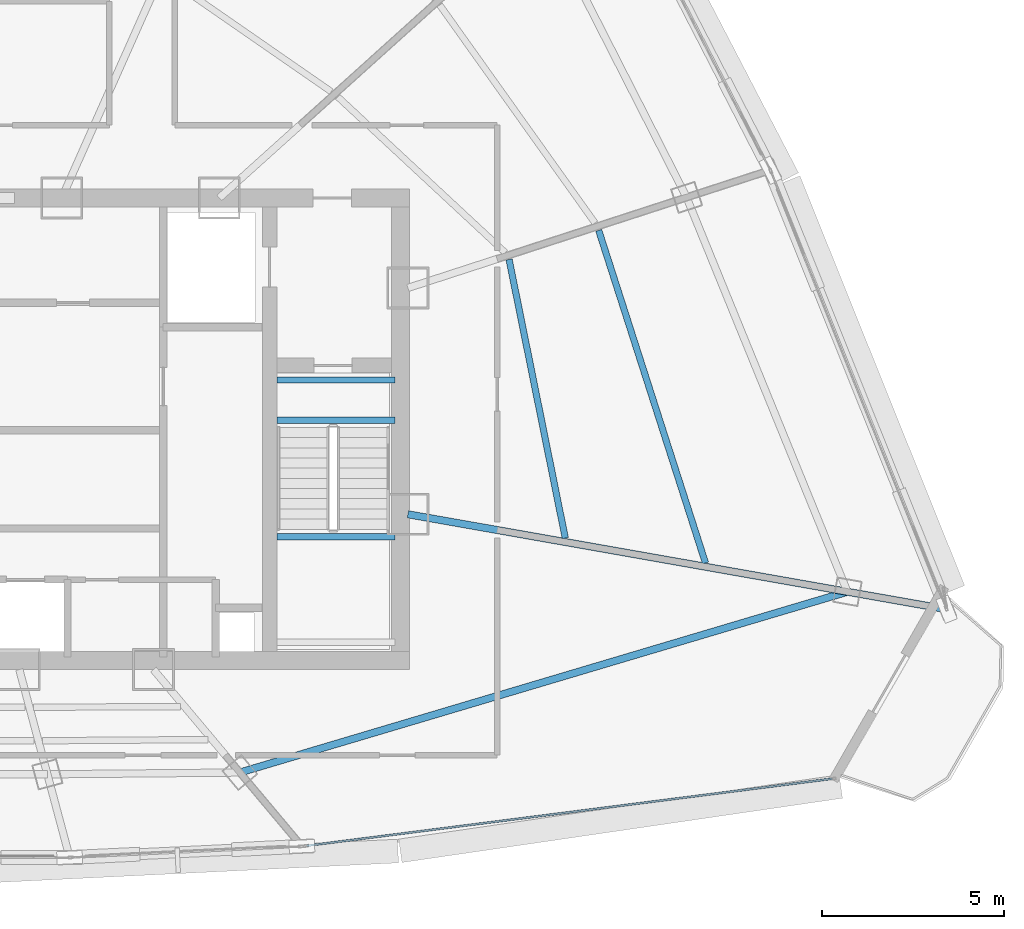
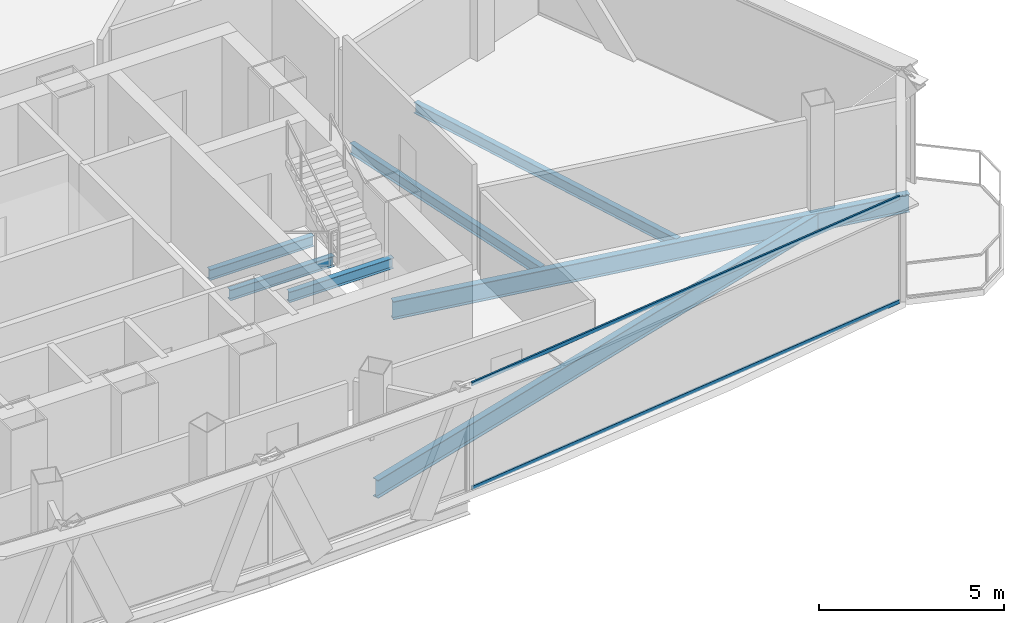
# One storey, part 12 of 30: 7 beams, 2 members, 1 element without a shape of its own.
"""IFC4 building model written with IfcOpenShell, lengths in metres."""

from ifc_helpers import new_model, si_unit, direction, frame, origin, origin_2d, place, context, subcontext, project, spatial, hollow_rectangle, i_section, extrude, source, transform, mapped, material, layer, layer_set, material_profile, profile_set, type_object, element, aggregate, save


model = new_model("IFC4")

# Units and contexts
model_context = context("Model", 3, precision=1e-05, world=origin(), true_north=direction((0.0, 1.0)))
body_context = subcontext(model_context, "Body", "Model", "MODEL_VIEW")
ifc_project = project(units=[si_unit("LENGTHUNIT", "METRE"), si_unit("AREAUNIT", "SQUARE_METRE"), si_unit("VOLUMEUNIT", "CUBIC_METRE"), si_unit("PLANEANGLEUNIT", "RADIAN"), si_unit("MASSUNIT", "GRAM", prefix="KILO"), si_unit("THERMODYNAMICTEMPERATUREUNIT", "KELVIN"), si_unit("POWERUNIT", "WATT")], contexts=[model_context])

# Site, building, storey
site_placement = place(None, origin())
site = spatial("IfcSite", under=ifc_project, at=site_placement, CompositionType="ELEMENT")
building_placement = place(site_placement, origin())
building = spatial("IfcBuilding", under=site, at=building_placement, Name="Yunzhuo Pagoda Commons", CompositionType="ELEMENT")
storey_placement = place(building_placement, frame((0.0, 0.0, 348.010009765625)))
storey = spatial("IfcBuildingStorey", under=building, at=storey_placement, Name="L87", CompositionType="ELEMENT", Elevation=348.010009765625)

# Beams
ifc_material_1 = material(Name="Structural steel Q355B", Category="steel")
ifc_material_profile_1 = material_profile(ifc_material_1, i_section(OverallWidth=0.175048828125, OverallDepth=0.35009765625, WebThickness=0.007080078125, FlangeThickness=0.010986328125, at=origin_2d()), Name="Structural steel Q355B")
ifc_profile_set_1 = profile_set([ifc_material_profile_1], Name="Structural steel Q355B")
beam_type_1 = type_object("IfcBeamType", Name="B-JS2 Joist HN 350x175x7x11", PredefinedType="JOIST", material=ifc_profile_set_1)
shared_shape_1 = source(origin(), body_context, "Body", "SweptSolid", [
    extrude(i_section(OverallWidth=0.175048828125, OverallDepth=0.35009765625, WebThickness=0.007080078125, FlangeThickness=0.010986328125, at=origin_2d()), origin(), (0.0, 0.0, 1.0), 3.25),
])
for number, where, z_axis, x_axis, name in (
    (1, (56.800048828125, 30.89990234375, 1.5), (1.0, 0.0, 0.0), (0.0, 1.0, 0.0), "L87 ST2 landing support beam 93B"),
    (2, (56.800048828125, 34.10009765625, -0.375), (1.0, 0.0, 0.0), (0.0, 1.0, 0.0), "L87 ST2 landing support beam 191A"),
    (3, (56.800048828125, 35.199951171875, -0.375), (1.0, 0.0, 0.0), (0.0, 1.0, 0.0), "L87 ST2 landing support beam 191B"),
):
    element("IfcBeam", number, at=place(storey_placement, frame(where, z_axis=z_axis, x_axis=x_axis)), inside=storey, type_object=beam_type_1, Name=name, PredefinedType="JOIST", context=body_context, shape_type="MappedRepresentation", body=[
        mapped(shared_shape_1, transform((0.0, 0.0, 0.0), scale=1.0)),
    ])
ifc_material_profile_2 = material_profile(ifc_material_1, i_section(OverallWidth=0.199951171875, OverallDepth=0.60009765625, WebThickness=0.010986328125, FlangeThickness=0.01708984375, at=origin_2d()), Name="Structural steel Q355B")
ifc_profile_set_2 = profile_set([ifc_material_profile_2], Name="Structural steel Q355B")
beam_type_2 = type_object("IfcBeamType", Name="B-RG3 Beam HN 600x200x11x17", PredefinedType="BEAM", material=ifc_profile_set_2)
shared_shape_2 = source(origin(), body_context, "Body", "SweptSolid", [
    extrude(i_section(OverallWidth=0.199951171875, OverallDepth=0.60009765625, WebThickness=0.010986328125, FlangeThickness=0.01708984375, at=origin_2d()), origin(), (0.0, 0.0, 1.0), 17.407470703125),
])
beam_1_placement = place(storey_placement, frame((55.785400390625, 24.421630859375, -0.56005859375), z_axis=(0.958484984609, 0.285143006717, 0.0), x_axis=(-0.285143006717, 0.958484984609, 0.0)))
element("IfcBeam", 4, at=beam_1_placement, inside=storey, type_object=beam_type_2, Name="L87 column-ring beam 4", PredefinedType="BEAM", context=body_context, shape_type="MappedRepresentation", body=[
    mapped(shared_shape_2, transform((0.0, 0.0, 0.0), scale=1.0)),
])
shared_shape_3 = source(origin(), body_context, "Body", "SweptSolid", [
    extrude(i_section(OverallWidth=0.175048828125, OverallDepth=0.35009765625, WebThickness=0.007080078125, FlangeThickness=0.010986328125, at=origin_2d()), origin(), (0.0, 0.0, 1.0), 7.8056640625),
])
beam_2_placement = place(storey_placement, frame((64.722412109375, 30.860107421875, -0.43505859375), z_axis=(-0.197830082137, 0.980236327934, 0.0), x_axis=(-0.980236327934, -0.197830082137, 0.0)))
element("IfcBeam", 5, at=beam_2_placement, inside=storey, type_object=beam_type_1, Name="L87 composite ring joist 1.5", PredefinedType="JOIST", context=body_context, shape_type="MappedRepresentation", body=[
    mapped(shared_shape_3, transform((0.0, 0.0, 0.0), scale=1.0)),
])
shared_shape_4 = source(origin(), body_context, "Body", "SweptSolid", [
    extrude(i_section(OverallWidth=0.175048828125, OverallDepth=0.35009765625, WebThickness=0.007080078125, FlangeThickness=0.010986328125, at=origin_2d()), origin(), (0.0, 0.0, 1.0), 9.593994140625),
])
beam_3_placement = place(storey_placement, frame((68.572509765625, 30.17578125, -0.43505859375), z_axis=(-0.305719218499, 0.952121714614, 0.0), x_axis=(-0.952121714614, -0.305719218499, 0.0)))
element("IfcBeam", 6, at=beam_3_placement, inside=storey, type_object=beam_type_1, Name="L87 composite ring joist 2.5", PredefinedType="JOIST", context=body_context, shape_type="MappedRepresentation", body=[
    mapped(shared_shape_4, transform((0.0, 0.0, 0.0), scale=1.0)),
])
shared_shape_5 = source(origin(), body_context, "Body", "SweptSolid", [
    extrude(i_section(OverallWidth=0.199951171875, OverallDepth=0.60009765625, WebThickness=0.010986328125, FlangeThickness=0.01708984375, at=origin_2d()), origin(), (0.0, 0.0, 1.0), 14.866943359375),
])
beam_4_placement = place(storey_placement, frame((75.041015625, 28.931884765625, -0.56005859375), z_axis=(-0.984808677013, 0.173642937314, 0.0), x_axis=(-0.173642937314, -0.984808677013, 0.0)))
element("IfcBeam", 7, at=beam_4_placement, inside=storey, type_object=beam_type_2, Name="L87 radial floor girder F2C1", PredefinedType="BEAM", context=body_context, shape_type="MappedRepresentation", body=[
    mapped(shared_shape_5, transform((0.0, 0.0, 0.0), scale=1.0)),
])

# Curtain wall, members
ifc_material_2 = material(Name="Anodized aluminium 6063-T6", Category="aluminium")
ifc_layer = layer(ifc_material_2, 0.139892578125)
ifc_layer_set = layer_set([ifc_layer], Name="Anodized aluminium 6063-T6")
curtain_wall_type = type_object("IfcCurtainWallType", Name="CW-HI High-Zone Ribbon Curtain Wall", PredefinedType="NOTDEFINED", material=ifc_layer_set)
curtain_wall_placement = place(storey_placement, origin())
curtain_wall = element("IfcCurtainWall", 8, at=curtain_wall_placement, inside=storey, type_object=curtain_wall_type, Name="L87 curtain wall CW-L87-F1B5", PredefinedType="NOTDEFINED")
ifc_material_profile_3 = material_profile(ifc_material_2, hollow_rectangle(XDim=0.054931640625, YDim=0.1201171875, WallThickness=0.00341796875, at=origin_2d()), Name="Anodized aluminium 6063-T6")
ifc_profile_set_3 = profile_set([ifc_material_profile_3], Name="Anodized aluminium 6063-T6")
member_type = type_object("IfcMemberType", Name="CW-HI-T Transom RHS 120x55x3.5", PredefinedType="USERDEFINED", material=ifc_profile_set_3)
shared_shape_6 = source(origin(), body_context, "Body", "SweptSolid", [
    extrude(hollow_rectangle(XDim=0.054931640625, YDim=0.1201171875, WallThickness=0.00341796875, at=origin_2d()), origin(), (0.0, 0.0, 1.0), 14.54931640625),
])
member_1_placement = place(storey_placement, frame((57.621337890625, 22.410400390625, 0.027587890625), z_axis=(0.991959463603, 0.126556005658, 0.0), x_axis=(-0.126556005658, 0.991959463603, 0.0)))
member_1 = element("IfcMember", 9, at=member_1_placement, type_object=member_type, Name="CW transom 1.1", ObjectType="TRANSOM", PredefinedType="USERDEFINED", context=body_context, shape_type="MappedRepresentation", body=[
    mapped(shared_shape_6, transform((0.0, 0.0, 0.0), scale=1.0)),
])
member_2_placement = place(storey_placement, frame((57.621337890625, 22.410400390625, 3.46240234375), z_axis=(0.991959463603, 0.126556005658, 0.0), x_axis=(-0.126556005658, 0.991959463603, 0.0)))
member_2 = element("IfcMember", 10, at=member_2_placement, type_object=member_type, Name="CW transom 1.2", ObjectType="TRANSOM", PredefinedType="USERDEFINED", context=body_context, shape_type="MappedRepresentation", body=[
    mapped(shared_shape_6, transform((0.0, 0.0, 0.0), scale=1.0)),
])
aggregate(curtain_wall, [member_1, member_2])

save(model, "model.ifc")
